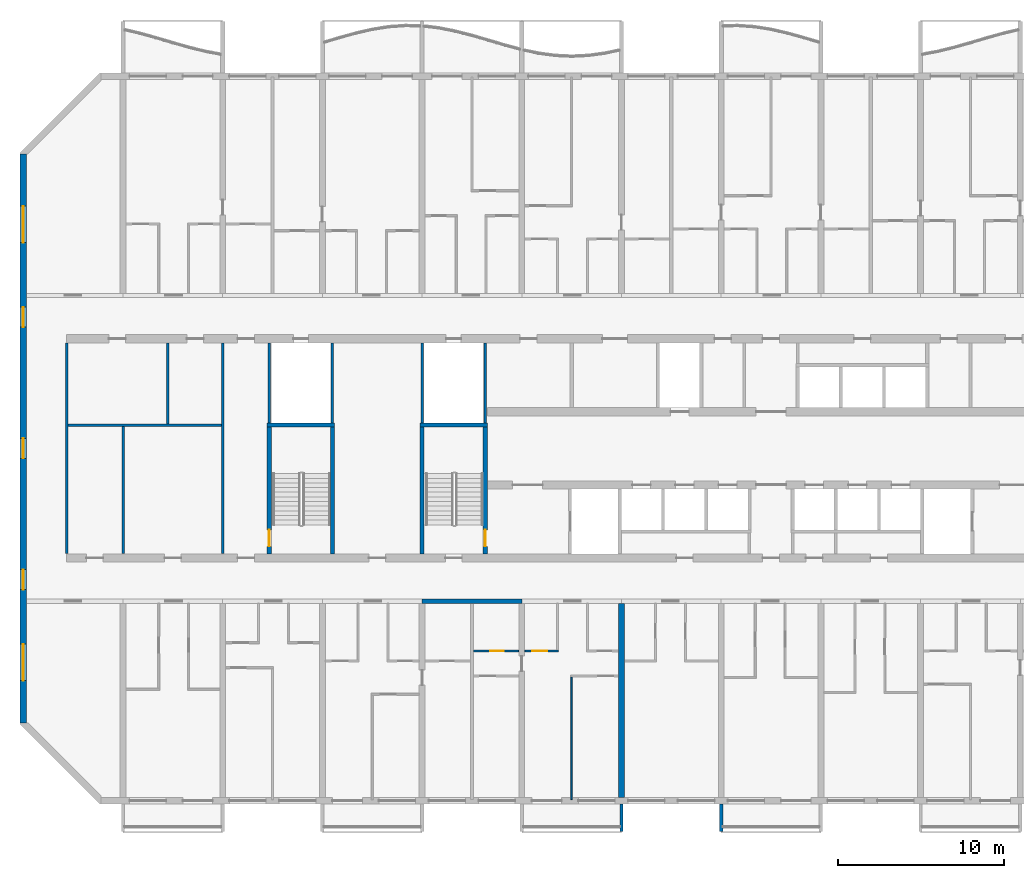
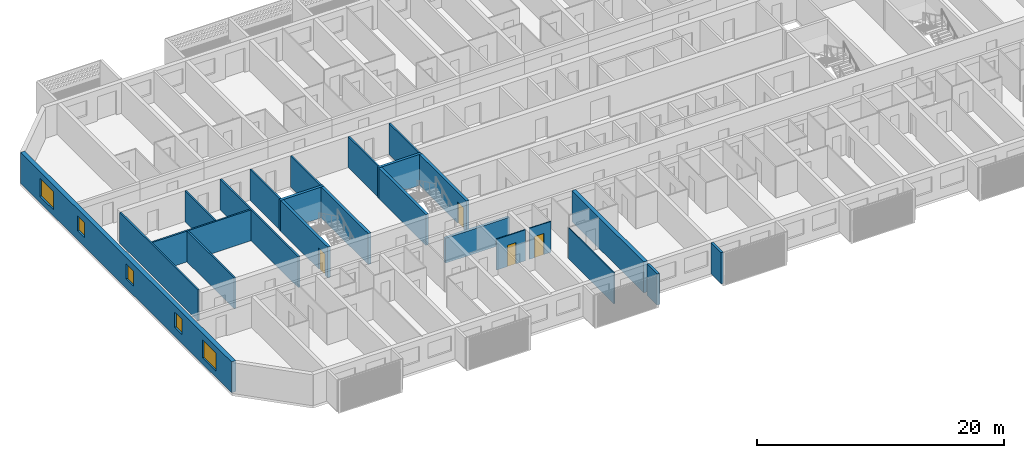
# One storey, part 3 of 31: 23 walls, 5 windows, 4 doors, 9 openings.
"""IFC4 building model written with IfcOpenShell, lengths in metres."""

from ifc_helpers import new_model, si_unit, direction, frame, frame_2d, origin, place, context, subcontext, project, spatial, polyline, rectangle, outline, extrude, source, transform, mapped, material, layer, layer_set, type_object, element, fill, save


model = new_model("IFC4")

# Units and contexts
model_context = context("Model", 3, precision=1e-05, world=origin(), true_north=direction((0.0, 1.0)))
body_context = subcontext(model_context, "Body", "Model", "MODEL_VIEW")
ifc_project = project(units=[si_unit("LENGTHUNIT", "METRE"), si_unit("AREAUNIT", "SQUARE_METRE"), si_unit("VOLUMEUNIT", "CUBIC_METRE"), si_unit("PLANEANGLEUNIT", "RADIAN"), si_unit("MASSUNIT", "GRAM", prefix="KILO")], contexts=[model_context])

# Site, building, storey
site_placement = place(None, origin())
site = spatial("IfcSite", under=ifc_project, at=site_placement, CompositionType="ELEMENT")
building_placement = place(site_placement, origin())
building = spatial("IfcBuilding", under=site, at=building_placement, Name="Poui Terraces", CompositionType="ELEMENT")
storey_placement = place(building_placement, frame((0.0, 0.0, 82.800048828125)))
storey = spatial("IfcBuildingStorey", under=building, at=storey_placement, Name="L22", CompositionType="ELEMENT", Elevation=82.800048828125)

# Walls
ifc_material_1 = material(Name="Fire-rated plasterboard wall")
ifc_layer_1 = layer(ifc_material_1, 0.14990234375)
ifc_layer_set_1 = layer_set([ifc_layer_1], Name="Fire-rated plasterboard wall")
wall_type_1 = type_object("IfcWallType", Name="CORRIDOR WALL 150", PredefinedType="PARTITIONING", material=ifc_layer_set_1)
for number, where, z_axis, x_axis, name in (
    (1, (8.60009765625, 14.860107421875, 0.0), (0.0, 0.0, 1.0), (0.0, 1.0, 0.0), "CORRIDOR WALL 150"),
    (2, (18.0, 14.860107421875, 0.0), (0.0, 0.0, 1.0), (0.0, 1.0, 0.0), "CORRIDOR WALL 150"),
):
    element("IfcWall", number, at=place(storey_placement, frame(where, z_axis=z_axis, x_axis=x_axis)), inside=storey, type_object=wall_type_1, Name=name, PredefinedType="PARTITIONING", context=body_context, shape_type="SweptSolid", body=[
        extrude(rectangle(XDim=12.679931640625, YDim=0.14990234375, at=frame_2d((6.33984375, 0.0))), origin(), (0.0, 0.0, 1.0), 3.06005859375),
    ])
ifc_material_2 = material(Name="Concrete 65 MPa", Category="concrete")
ifc_layer_2 = layer(ifc_material_2, 0.25)
ifc_layer_set_2 = layer_set([ifc_layer_2], Name="Concrete 65 MPa")
wall_type_2 = type_object("IfcWallType", Name="CORRIDOR WALL 250 65MPa", PredefinedType="SHEAR", material=ifc_layer_set_2)
wall_1_placement = place(storey_placement, frame((30.0, 12.0, 0.0), z_axis=(0.0, 0.0, 1.0), x_axis=(1.0, 0.0, 0.0)))
element("IfcWall", 3, at=wall_1_placement, inside=storey, type_object=wall_type_2, Name="CORRIDOR WALL LINE B BAY 5", PredefinedType="SHEAR", context=body_context, shape_type="SweptSolid", body=[
    extrude(rectangle(XDim=6.0, YDim=0.25, at=frame_2d((3.0, 0.0))), origin(), (0.0, 0.0, 1.0), 2.4599609375),
])
ifc_layer_3 = layer(ifc_material_2, 0.35009765625)
ifc_layer_set_3 = layer_set([ifc_layer_3], Name="Concrete 65 MPa")
wall_type_3 = type_object("IfcWallType", Name="CROSS WALL 350 65MPa", PredefinedType="SHEAR", material=ifc_layer_set_3)
wall_2_placement = place(storey_placement, frame((42.0, 0.199951171875, 0.0), z_axis=(0.0, 0.0, 1.0), x_axis=(0.0, 1.0, 0.0)))
element("IfcWall", 4, at=wall_2_placement, inside=storey, type_object=wall_type_3, Name="CROSS WALL LINE 8 SOUTH", PredefinedType="SHEAR", context=body_context, shape_type="SweptSolid", body=[
    extrude(rectangle(XDim=11.675048828125, YDim=0.35009765625, at=frame_2d((5.83740234375, 0.0))), origin(), (0.0, 0.0, 1.0), 3.06005859375),
])

# Wall, openings, windows
ifc_layer_4 = layer(ifc_material_2, 0.39990234375)
ifc_layer_set_4 = layer_set([ifc_layer_4], Name="Concrete 65 MPa")
wall_type_4 = type_object("IfcWallType", Name="END WALL 400 65MPa", PredefinedType="SHEAR", material=ifc_layer_set_4)
wall_3_placement = place(storey_placement, frame((6.0, 4.682861328125, 0.0), z_axis=(0.0, 0.0, 1.0), x_axis=(0.0, 1.0, 0.0)))
wall_3 = element("IfcWall", 5, at=wall_3_placement, inside=storey, type_object=wall_type_4, Name="END WALL WEST", PredefinedType="SHEAR", context=body_context, shape_type="SweptSolid", body=[
    extrude(rectangle(XDim=34.234375, YDim=0.39990234375, at=frame_2d((17.1171875, 0.0))), origin(), (0.0, 0.0, 1.0), 3.06005859375),
])
opening_1_placement = place(wall_3_placement, frame((23.817138671875, 0.0, 0.89990234375)))
opening_1 = element("IfcOpeningElement", 6, at=opening_1_placement, cuts=wall_3, Name="Opening W2", PredefinedType="OPENING", context=body_context, shape_type="SweptSolid", body=[
    extrude(rectangle(XDim=1.199951171875, YDim=1.5, at=frame_2d((0.60009765625, 0.75))), frame((0.0, 0.2099609375, 0.0), z_axis=(0.0, -1.0, 0.0), x_axis=(1.0, 0.0, 0.0)), (0.0, 0.0, 1.0), 0.419921875),
])
opening_2_placement = place(wall_3_placement, frame((8.01708984375, 0.0, 0.89990234375)))
opening_2 = element("IfcOpeningElement", 7, at=opening_2_placement, cuts=wall_3, Name="Opening W2", PredefinedType="OPENING", context=body_context, shape_type="SweptSolid", body=[
    extrude(rectangle(XDim=1.199951171875, YDim=1.5, at=frame_2d((0.60009765625, 0.75))), frame((0.0, 0.2099609375, 0.0), z_axis=(0.0, -1.0, 0.0), x_axis=(1.0, 0.0, 0.0)), (0.0, 0.0, 1.0), 0.419921875),
])
opening_3_placement = place(wall_3_placement, frame((15.917236328125, 0.0, 0.89990234375)))
opening_3 = element("IfcOpeningElement", 8, at=opening_3_placement, cuts=wall_3, Name="Opening W2", PredefinedType="OPENING", context=body_context, shape_type="SweptSolid", body=[
    extrude(rectangle(XDim=1.199951171875, YDim=1.5, at=frame_2d((0.60009765625, 0.75))), frame((0.0, 0.2099609375, 0.0), z_axis=(0.0, -1.0, 0.0), x_axis=(1.0, 0.0, 0.0)), (0.0, 0.0, 1.0), 0.419921875),
])
opening_4_placement = place(wall_3_placement, frame((28.8935546875, 0.0, 0.60009765625)))
opening_4 = element("IfcOpeningElement", 9, at=opening_4_placement, cuts=wall_3, Name="Opening W3", PredefinedType="OPENING", context=body_context, shape_type="SweptSolid", body=[
    extrude(rectangle(XDim=2.199951171875, YDim=1.800048828125, at=frame_2d((1.10009765625, 0.89990234375))), frame((0.0, 0.2099609375, 0.0), z_axis=(0.0, -1.0, 0.0), x_axis=(1.0, 0.0, 0.0)), (0.0, 0.0, 1.0), 0.419921875),
])
opening_5_placement = place(wall_3_placement, frame((2.541015625, 0.0, 0.60009765625)))
opening_5 = element("IfcOpeningElement", 10, at=opening_5_placement, cuts=wall_3, Name="Opening W3", PredefinedType="OPENING", context=body_context, shape_type="SweptSolid", body=[
    extrude(rectangle(XDim=2.199951171875, YDim=1.800048828125, at=frame_2d((1.10009765625, 0.89990234375))), frame((0.0, 0.2099609375, 0.0), z_axis=(0.0, -1.0, 0.0), x_axis=(1.0, 0.0, 0.0)), (0.0, 0.0, 1.0), 0.419921875),
])
ifc_material_3 = material(Name="Clear glass in aluminium frame", Category="aluminium")
window_type_1 = type_object("IfcWindowType", Name="WINDOW 1200X1500", PartitioningType="SINGLE_PANEL", PredefinedType="WINDOW", material=ifc_material_3)
window_1_placement = place(opening_1_placement, origin())
window_1 = element("IfcWindow", 11, at=window_1_placement, inside=storey, type_object=window_type_1, Name="W2 WINDOW", OverallHeight=1.5, OverallWidth=1.199951171875, PartitioningType="SINGLE_PANEL", PredefinedType="WINDOW", context=body_context, shape_type="SweptSolid", body=[
    extrude(rectangle(XDim=1.199951171875, YDim=1.5, at=frame_2d((0.60009765625, 0.75))), frame((0.0, 0.030029296875, 0.0), z_axis=(0.0, -1.0, 0.0), x_axis=(1.0, 0.0, 0.0)), (0.0, 0.0, 1.0), 0.06005859375),
])
fill(opening_1, window_1)
window_2_placement = place(opening_2_placement, origin())
window_2 = element("IfcWindow", 12, at=window_2_placement, inside=storey, type_object=window_type_1, Name="W2 WINDOW", OverallHeight=1.5, OverallWidth=1.199951171875, PartitioningType="SINGLE_PANEL", PredefinedType="WINDOW", context=body_context, shape_type="SweptSolid", body=[
    extrude(rectangle(XDim=1.199951171875, YDim=1.5, at=frame_2d((0.60009765625, 0.75))), frame((0.0, 0.030029296875, 0.0), z_axis=(0.0, -1.0, 0.0), x_axis=(1.0, 0.0, 0.0)), (0.0, 0.0, 1.0), 0.06005859375),
])
fill(opening_2, window_2)
window_3_placement = place(opening_3_placement, origin())
window_3 = element("IfcWindow", 13, at=window_3_placement, inside=storey, type_object=window_type_1, Name="W2 WINDOW", OverallHeight=1.5, OverallWidth=1.199951171875, PartitioningType="SINGLE_PANEL", PredefinedType="WINDOW", context=body_context, shape_type="SweptSolid", body=[
    extrude(rectangle(XDim=1.199951171875, YDim=1.5, at=frame_2d((0.60009765625, 0.75))), frame((0.0, 0.030029296875, 0.0), z_axis=(0.0, -1.0, 0.0), x_axis=(1.0, 0.0, 0.0)), (0.0, 0.0, 1.0), 0.06005859375),
])
fill(opening_3, window_3)
window_type_2 = type_object("IfcWindowType", Name="WINDOW 2200X1800", PartitioningType="DOUBLE_PANEL_HORIZONTAL", PredefinedType="WINDOW", material=ifc_material_3)
window_4_placement = place(opening_4_placement, origin())
window_4 = element("IfcWindow", 14, at=window_4_placement, inside=storey, type_object=window_type_2, Name="W3 WINDOW", OverallHeight=1.800048828125, OverallWidth=2.199951171875, PartitioningType="DOUBLE_PANEL_HORIZONTAL", PredefinedType="WINDOW", context=body_context, shape_type="SweptSolid", body=[
    extrude(rectangle(XDim=2.199951171875, YDim=1.800048828125, at=frame_2d((1.10009765625, 0.89990234375))), frame((0.0, 0.030029296875, 0.0), z_axis=(0.0, -1.0, 0.0), x_axis=(1.0, 0.0, 0.0)), (0.0, 0.0, 1.0), 0.06005859375),
])
fill(opening_4, window_4)
window_5_placement = place(opening_5_placement, origin())
window_5 = element("IfcWindow", 15, at=window_5_placement, inside=storey, type_object=window_type_2, Name="W3 WINDOW", OverallHeight=1.800048828125, OverallWidth=2.199951171875, PartitioningType="DOUBLE_PANEL_HORIZONTAL", PredefinedType="WINDOW", context=body_context, shape_type="SweptSolid", body=[
    extrude(rectangle(XDim=2.199951171875, YDim=1.800048828125, at=frame_2d((1.10009765625, 0.89990234375))), frame((0.0, 0.030029296875, 0.0), z_axis=(0.0, -1.0, 0.0), x_axis=(1.0, 0.0, 0.0)), (0.0, 0.0, 1.0), 0.06005859375),
])
fill(opening_5, window_5)

# Wall, opening, door
ifc_material_4 = material(Name="Plasterboard partition")
ifc_layer_5 = layer(ifc_material_4, 0.10009765625)
ifc_layer_set_5 = layer_set([ifc_layer_5], Name="Plasterboard partition")
wall_type_5 = type_object("IfcWallType", Name="FLAT PARTITION 100", PredefinedType="PARTITIONING", material=ifc_layer_set_5)
wall_4_placement = place(storey_placement, frame((33.10009765625, 9.0, 0.0), z_axis=(0.0, 0.0, 1.0), x_axis=(1.0, 0.0, 0.0)))
wall_4 = element("IfcWall", 16, at=wall_4_placement, inside=storey, type_object=wall_type_5, Name="FLAT PARTITION 100", PredefinedType="PARTITIONING", context=body_context, shape_type="SweptSolid", body=[
    extrude(rectangle(XDim=2.71484375, YDim=0.10009765625, at=frame_2d((1.357421875, 0.0))), origin(), (0.0, 0.0, 1.0), 3.06005859375),
])
opening_6_placement = place(wall_4_placement, frame((1.0, 0.0, 0.0)))
opening_6 = element("IfcOpeningElement", 17, at=opening_6_placement, cuts=wall_4, Name="Opening D80", PredefinedType="OPENING", context=body_context, shape_type="SweptSolid", body=[
    extrude(rectangle(XDim=0.800048828125, YDim=2.10009765625, at=frame_2d((0.39990234375, 1.050048828125))), frame((0.0, 0.06005859375, 0.0), z_axis=(0.0, -1.0, 0.0), x_axis=(1.0, 0.0, 0.0)), (0.0, 0.0, 1.0), 0.1201171875),
])
ifc_material_5 = material(Name="Solid core timber door", Category="wood")
door_type_1 = type_object("IfcDoorType", Name="BATHROOM, LAUNDRY AND STORE DOOR 800 X 2100", OperationType="NOTDEFINED", PredefinedType="DOOR", material=ifc_material_5)
door_1_placement = place(opening_6_placement, origin())
door_1 = element("IfcDoor", 18, at=door_1_placement, inside=storey, type_object=door_type_1, Name="BATHROOM, LAUNDRY AND STORE DOOR 100", OperationType="SINGLE_SWING_RIGHT", OverallHeight=2.10009765625, OverallWidth=0.800048828125, PredefinedType="DOOR", context=body_context, shape_type="SweptSolid", body=[
    extrude(rectangle(XDim=0.800048828125, YDim=2.10009765625, at=frame_2d((0.39990234375, 1.050048828125))), frame((0.0, 0.02490234375, 0.0), z_axis=(0.0, -1.0, 0.0), x_axis=(1.0, 0.0, 0.0)), (0.0, 0.0, 1.0), 0.050048828125),
])
fill(opening_6, door_1)

wall_5_placement = place(storey_placement, frame((36.18505859375, 9.0, 0.0), z_axis=(0.0, 0.0, 1.0), x_axis=(1.0, 0.0, 0.0)))
wall_5 = element("IfcWall", 19, at=wall_5_placement, inside=storey, type_object=wall_type_5, Name="FLAT PARTITION 100", PredefinedType="PARTITIONING", context=body_context, shape_type="SweptSolid", body=[
    extrude(rectangle(XDim=2.014892578125, YDim=0.10009765625, at=frame_2d((1.00732421875, 0.0))), origin(), (0.0, 0.0, 1.0), 3.06005859375),
])
opening_7_placement = place(wall_5_placement, frame((0.43994140625, 0.0, 0.0)))
opening_7 = element("IfcOpeningElement", 20, at=opening_7_placement, cuts=wall_5, Name="Opening D90", PredefinedType="OPENING", context=body_context, shape_type="SweptSolid", body=[
    extrude(rectangle(XDim=0.89990234375, YDim=2.10009765625, at=frame_2d((0.449951171875, 1.050048828125))), frame((0.0, 0.06005859375, 0.0), z_axis=(0.0, -1.0, 0.0), x_axis=(1.0, 0.0, 0.0)), (0.0, 0.0, 1.0), 0.1201171875),
])
door_type_2 = type_object("IfcDoorType", Name="INTERNAL DOOR 900 X 2100", OperationType="NOTDEFINED", PredefinedType="DOOR", material=ifc_material_5)
door_2_placement = place(opening_7_placement, origin())
door_2 = element("IfcDoor", 21, at=door_2_placement, inside=storey, type_object=door_type_2, Name="INTERNAL DOOR 102", OperationType="SINGLE_SWING_LEFT", OverallHeight=2.10009765625, OverallWidth=0.89990234375, PredefinedType="DOOR", context=body_context, shape_type="SweptSolid", body=[
    extrude(rectangle(XDim=0.89990234375, YDim=2.10009765625, at=frame_2d((0.449951171875, 1.050048828125))), frame((0.0, 0.02490234375, 0.0), z_axis=(0.0, -1.0, 0.0), x_axis=(1.0, 0.0, 0.0)), (0.0, 0.0, 1.0), 0.050048828125),
])
fill(opening_7, door_2)

# Walls
wall_6_placement = place(storey_placement, frame((39.0, 0.06005859375, 0.0), z_axis=(0.0, 0.0, 1.0), x_axis=(0.0, 1.0, 0.0)))
element("IfcWall", 22, at=wall_6_placement, inside=storey, type_object=wall_type_5, Name="FLAT PARTITION 100", PredefinedType="PARTITIONING", context=body_context, shape_type="SweptSolid", body=[
    extrude(rectangle(XDim=7.389892578125, YDim=0.10009765625, at=frame_2d((3.69482421875, 0.0))), origin(), (0.0, 0.0, 1.0), 3.06005859375),
])
ifc_layer_6 = layer(ifc_material_4, 0.14990234375)
ifc_layer_set_6 = layer_set([ifc_layer_6], Name="Plasterboard partition")
wall_type_6 = type_object("IfcWallType", Name="PARTITION WALL 150", PredefinedType="PARTITIONING", material=ifc_layer_set_6)
wall_7_placement = place(storey_placement, frame((8.675048828125, 22.60009765625, 0.0), z_axis=(0.0, 0.0, 1.0), x_axis=(1.0, 0.0, 0.0)))
element("IfcWall", 23, at=wall_7_placement, inside=storey, type_object=wall_type_6, Name="PARTITION WALL 150", PredefinedType="PARTITIONING", context=body_context, shape_type="SweptSolid", body=[
    extrude(rectangle(XDim=9.25, YDim=0.14990234375, at=frame_2d((4.625, 0.0))), origin(), (0.0, 0.0, 1.0), 3.06005859375),
])
wall_8_placement = place(storey_placement, frame((12.0, 14.860107421875, 0.0), z_axis=(0.0, 0.0, 1.0), x_axis=(0.0, 1.0, 0.0)))
element("IfcWall", 24, at=wall_8_placement, inside=storey, type_object=wall_type_6, Name="PARTITION WALL 150", PredefinedType="PARTITIONING", context=body_context, shape_type="SweptSolid", body=[
    extrude(rectangle(XDim=7.664794921875, YDim=0.14990234375, at=frame_2d((3.83251953125, 0.0))), origin(), (0.0, 0.0, 1.0), 3.06005859375),
])
wall_9_placement = place(storey_placement, frame((14.699951171875, 22.675048828125, 0.0), z_axis=(0.0, 0.0, 1.0), x_axis=(0.0, 1.0, 0.0)))
element("IfcWall", 25, at=wall_9_placement, inside=storey, type_object=wall_type_6, Name="PARTITION WALL 150", PredefinedType="PARTITIONING", context=body_context, shape_type="SweptSolid", body=[
    extrude(rectangle(XDim=4.864990234375, YDim=0.14990234375, at=frame_2d((2.4326171875, 0.0))), origin(), (0.0, 0.0, 1.0), 3.06005859375),
])
ifc_material_6 = material(Name="Fire-rated plasterboard riser wall")
ifc_layer_7 = layer(ifc_material_6, 0.14990234375)
ifc_layer_set_7 = layer_set([ifc_layer_7], Name="Fire-rated plasterboard riser wall")
wall_type_7 = type_object("IfcWallType", Name="RISER WALL 150", PredefinedType="PARTITIONING", material=ifc_layer_set_7)
for number, where, z_axis, x_axis, name in (
    (26, (20.800048828125, 22.735107421875, 0.0), (0.0, 0.0, 1.0), (0.0, 1.0, 0.0), "RISER WALL 150"),
    (27, (24.60009765625, 22.735107421875, 0.0), (0.0, 0.0, 1.0), (0.0, 1.0, 0.0), "RISER WALL 150"),
    (28, (30.0, 22.735107421875, 0.0), (0.0, 0.0, 1.0), (0.0, 1.0, 0.0), "RISER WALL 150"),
    (29, (33.800048828125, 22.735107421875, 0.0), (0.0, 0.0, 1.0), (0.0, 1.0, 0.0), "RISER WALL 150"),
):
    element("IfcWall", number, at=place(storey_placement, frame(where, z_axis=z_axis, x_axis=x_axis)), inside=storey, type_object=wall_type_7, Name=name, PredefinedType="PARTITIONING", context=body_context, shape_type="SweptSolid", body=[
        extrude(rectangle(XDim=4.804931640625, YDim=0.14990234375, at=frame_2d((2.40234375, 0.0))), origin(), (0.0, 0.0, 1.0), 3.06005859375),
    ])
ifc_layer_8 = layer(ifc_material_2, 0.25)
ifc_layer_set_8 = layer_set([ifc_layer_8], Name="Concrete 65 MPa")
wall_type_8 = type_object("IfcWallType", Name="STAIR CORE WALL 250 65 MPA", PredefinedType="SOLIDWALL", material=ifc_layer_set_8)
wall_10_placement = place(storey_placement, frame((30.0, 14.85009765625, 0.0), z_axis=(0.0, 0.0, 1.0), x_axis=(0.0, 1.0, 0.0)))
element("IfcWall", 30, at=wall_10_placement, inside=storey, type_object=wall_type_8, Name="STAIR CORE WALL", PredefinedType="SOLIDWALL", context=body_context, shape_type="SweptSolid", body=[
    extrude(rectangle(XDim=7.625, YDim=0.25, at=frame_2d((3.8125, 0.0))), origin(), (0.0, 0.0, 1.0), 3.06005859375),
])

# Wall, opening, door
wall_11_placement = place(storey_placement, frame((33.800048828125, 14.85009765625, 0.0), z_axis=(0.0, 0.0, 1.0), x_axis=(0.0, 1.0, 0.0)))
wall_11 = element("IfcWall", 31, at=wall_11_placement, inside=storey, type_object=wall_type_8, Name="STAIR CORE WALL", PredefinedType="SOLIDWALL", context=body_context, shape_type="SweptSolid", body=[
    extrude(rectangle(XDim=7.625, YDim=0.25, at=frame_2d((3.8125, 0.0))), origin(), (0.0, 0.0, 1.0), 3.06005859375),
])
opening_8_placement = place(wall_11_placement, frame((0.449951171875, 0.0, 0.0)))
opening_8 = element("IfcOpeningElement", 32, at=opening_8_placement, cuts=wall_11, Name="Opening FD60S", PredefinedType="OPENING", context=body_context, shape_type="SweptSolid", body=[
    extrude(rectangle(XDim=1.0, YDim=2.10009765625, at=frame_2d((0.5, 1.050048828125))), frame((0.0, 0.135009765625, 0.0), z_axis=(0.0, -1.0, 0.0), x_axis=(1.0, 0.0, 0.0)), (0.0, 0.0, 1.0), 0.27001953125),
])
ifc_material_7 = material(Name="Steel fire door", Category="steel")
door_type_3 = type_object("IfcDoorType", Name="STAIR DOOR 1000 X 2100", OperationType="NOTDEFINED", PredefinedType="DOOR", material=ifc_material_7)
door_3_placement = place(opening_8_placement, origin())
door_3 = element("IfcDoor", 33, at=door_3_placement, inside=storey, type_object=door_type_3, Name="STAIR DOOR 138", OperationType="SINGLE_SWING_LEFT", OverallHeight=2.10009765625, OverallWidth=1.0, PredefinedType="DOOR", context=body_context, shape_type="SweptSolid", body=[
    extrude(rectangle(XDim=1.0, YDim=2.10009765625, at=frame_2d((0.5, 1.050048828125))), frame((0.0, 0.02490234375, 0.0), z_axis=(0.0, -1.0, 0.0), x_axis=(1.0, 0.0, 0.0)), (0.0, 0.0, 1.0), 0.050048828125),
])
fill(opening_8, door_3)

# Wall
wall_12_placement = place(storey_placement, frame((29.875, 22.60009765625, 0.0), z_axis=(0.0, 0.0, 1.0), x_axis=(1.0, 0.0, 0.0)))
element("IfcWall", 34, at=wall_12_placement, inside=storey, type_object=wall_type_8, Name="STAIR CORE WALL", PredefinedType="SOLIDWALL", context=body_context, shape_type="SweptSolid", body=[
    extrude(rectangle(XDim=4.050048828125, YDim=0.25, at=frame_2d((2.02490234375, 0.0))), origin(), (0.0, 0.0, 1.0), 3.06005859375),
])

# Wall, opening, door
wall_13_placement = place(storey_placement, frame((20.800048828125, 14.85009765625, 0.0), z_axis=(0.0, 0.0, 1.0), x_axis=(0.0, 1.0, 0.0)))
wall_13 = element("IfcWall", 35, at=wall_13_placement, inside=storey, type_object=wall_type_8, Name="STAIR CORE WALL", PredefinedType="SOLIDWALL", context=body_context, shape_type="SweptSolid", body=[
    extrude(rectangle(XDim=7.625, YDim=0.25, at=frame_2d((3.8125, 0.0))), origin(), (0.0, 0.0, 1.0), 3.06005859375),
])
opening_9_placement = place(wall_13_placement, frame((0.449951171875, 0.0, 0.0)))
opening_9 = element("IfcOpeningElement", 36, at=opening_9_placement, cuts=wall_13, Name="Opening FD60S", PredefinedType="OPENING", context=body_context, shape_type="SweptSolid", body=[
    extrude(rectangle(XDim=1.0, YDim=2.10009765625, at=frame_2d((0.5, 1.050048828125))), frame((0.0, 0.135009765625, 0.0), z_axis=(0.0, -1.0, 0.0), x_axis=(1.0, 0.0, 0.0)), (0.0, 0.0, 1.0), 0.27001953125),
])
door_4_placement = place(opening_9_placement, frame((1.0, 0.0, 0.0), z_axis=(0.0, 0.0, 1.0), x_axis=(-1.0, 0.0, 0.0)))
door_4 = element("IfcDoor", 37, at=door_4_placement, inside=storey, type_object=door_type_3, Name="STAIR DOOR 152", OperationType="SINGLE_SWING_RIGHT", OverallHeight=2.10009765625, OverallWidth=1.0, PredefinedType="DOOR", context=body_context, shape_type="SweptSolid", body=[
    extrude(rectangle(XDim=1.0, YDim=2.10009765625, at=frame_2d((0.5, 1.050048828125))), frame((0.0, 0.02490234375, 0.0), z_axis=(0.0, -1.0, 0.0), x_axis=(1.0, 0.0, 0.0)), (0.0, 0.0, 1.0), 0.050048828125),
])
fill(opening_9, door_4)

# Walls
wall_14_placement = place(storey_placement, frame((24.60009765625, 14.85009765625, 0.0), z_axis=(0.0, 0.0, 1.0), x_axis=(0.0, 1.0, 0.0)))
element("IfcWall", 38, at=wall_14_placement, inside=storey, type_object=wall_type_8, Name="STAIR CORE WALL", PredefinedType="SOLIDWALL", context=body_context, shape_type="SweptSolid", body=[
    extrude(rectangle(XDim=7.625, YDim=0.25, at=frame_2d((3.8125, 0.0))), origin(), (0.0, 0.0, 1.0), 3.06005859375),
])
wall_15_placement = place(storey_placement, frame((20.675048828125, 22.60009765625, 0.0), z_axis=(0.0, 0.0, 1.0), x_axis=(1.0, 0.0, 0.0)))
element("IfcWall", 39, at=wall_15_placement, inside=storey, type_object=wall_type_8, Name="STAIR CORE WALL", PredefinedType="SOLIDWALL", context=body_context, shape_type="SweptSolid", body=[
    extrude(rectangle(XDim=4.050048828125, YDim=0.25, at=frame_2d((2.02490234375, 0.0))), origin(), (0.0, 0.0, 1.0), 3.06005859375),
])
ifc_material_8 = material(Name="Precast concrete 40 MPa", Category="concrete")
ifc_layer_9 = layer(ifc_material_8, 0.199951171875)
ifc_layer_set_9 = layer_set([ifc_layer_9], Name="Precast concrete 40 MPa")
wall_type_9 = type_object("IfcWallType", Name="REAR FIN 200", PredefinedType="STANDARD", material=ifc_layer_set_9)
shared_shape = source(origin(), body_context, "Body", "SweptSolid", [
    extrude(outline(polyline([(0.0, 0.0), (0.2001953125, 0.0), (0.2001953125, 1.650146484375), (0.0, 1.650146484375), (0.0, 0.0)])), origin(), (0.0, 0.0, 1.0), 3.099853515625),
])
for number, where, name in (
    (40, (41.89990234375, -1.85009765625, 0.0), "REAR FIN"),
    (41, (47.89990234375, -1.85009765625, 0.0), "REAR FIN"),
):
    element("IfcWall", number, at=place(storey_placement, frame(where)), inside=storey, type_object=wall_type_9, Name=name, PredefinedType="STANDARD", context=body_context, shape_type="MappedRepresentation", body=[
        mapped(shared_shape, transform((0.0, 0.0, 0.0))),
    ])

save(model, "model.ifc")
